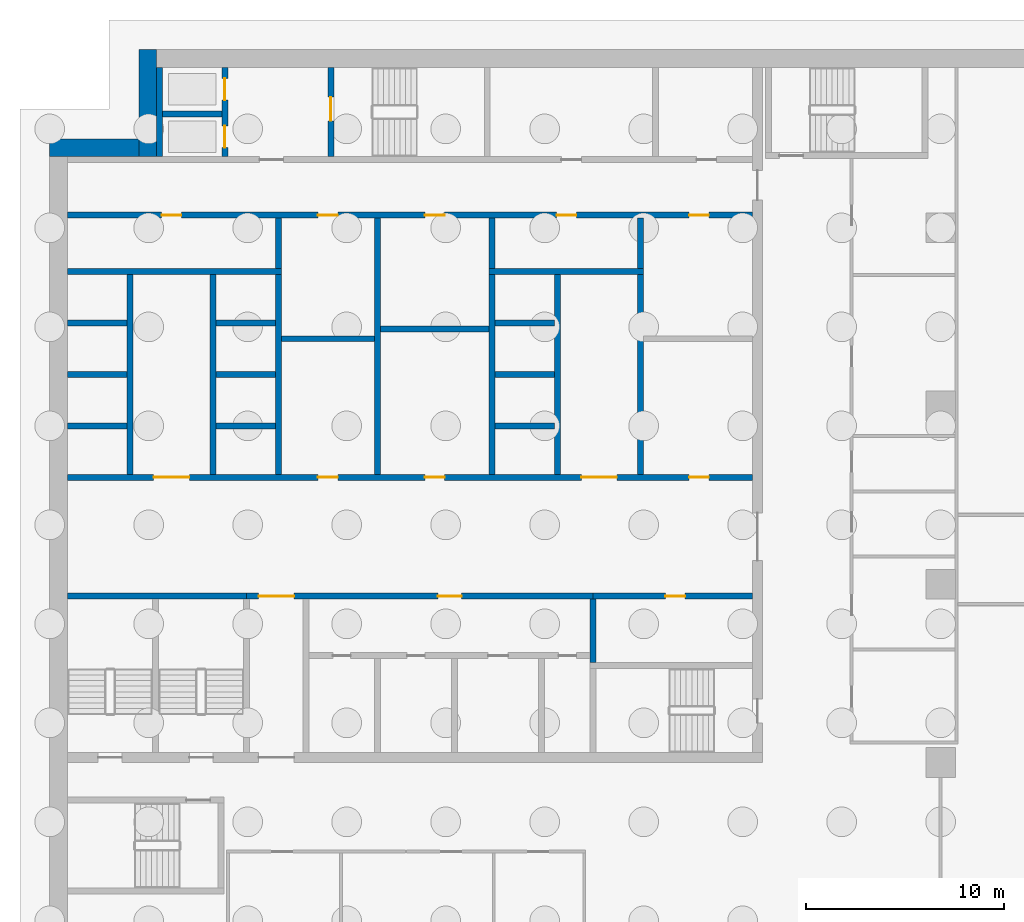
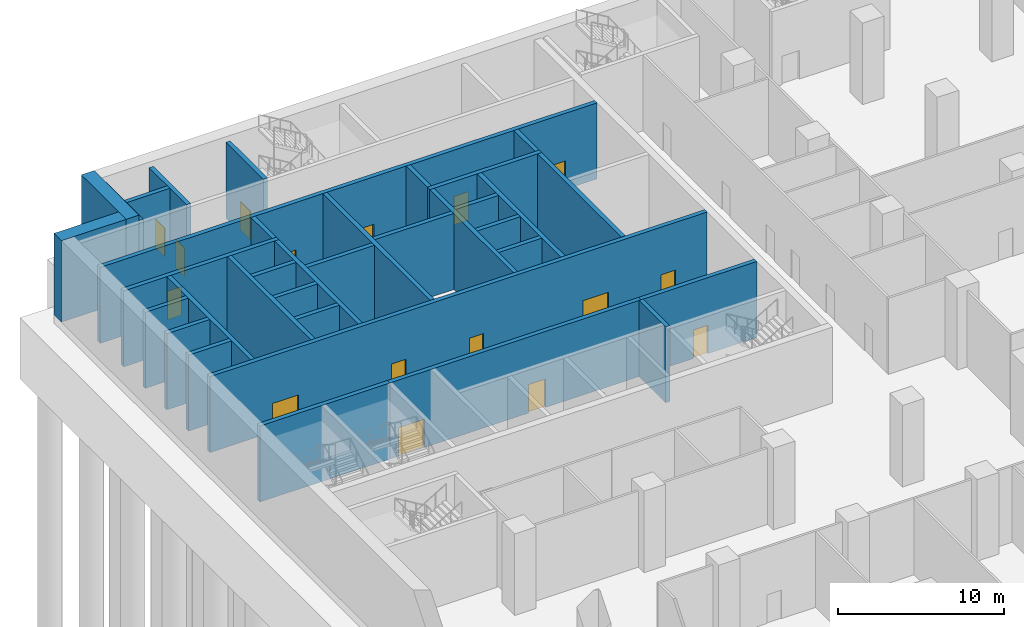
# One storey, part 7 of 25: 35 walls, 16 doors, 16 openings.
"""IFC4 building model written with IfcOpenShell, lengths in metres."""

import ifcopenshell
import ifcopenshell.guid

model = None  # the IFC model being written
_history = None  # IfcOwnerHistory: only IFC2X3 demands one
_inside = {}  # id of a spatial element -> (the spatial element, [elements in it])
_under = {}  # id of a project, library or spatial element -> (it, [spatial elements below it])
_declared = {}  # id of a project -> (the project, [libraries it declares])
_typed = {}  # id of a type object -> (the type object, [elements of that type])
_made_of = {}  # id of a material, layer set ... -> (it, [elements and type objects made of it])


def new_model(schema):
    """Start an empty IFC model of exactly this schema.

    Asked for "IFC4X3", IfcOpenShell would pick the latest addendum, in which some entities
    have other attributes; the version numbers below select the first issue.
    IFC2X3 requires an IfcOwnerHistory on every rooted entity: one is made here for all.
    """
    global model, _history
    if schema == "IFC4X3":
        model = ifcopenshell.file(schema_version=(4, 3, 0, 0))
    else:
        model = ifcopenshell.file(schema=schema)
    _inside.clear()
    _under.clear()
    _declared.clear()
    _typed.clear()
    _made_of.clear()
    _history = None
    if model.schema == "IFC2X3":
        org = make("IfcOrganization", Name="unknown")
        user = make(
            "IfcPersonAndOrganization",
            ThePerson=make("IfcPerson", FamilyName="unknown"),
            TheOrganization=org,
        )
        app = make(
            "IfcApplication",
            ApplicationDeveloper=org,
            Version="unknown",
            ApplicationFullName="unknown",
            ApplicationIdentifier="unknown",
        )
        _history = make(
            "IfcOwnerHistory",
            OwningUser=user,
            OwningApplication=app,
            ChangeAction="ADDED",
            CreationDate=0,
        )
    return model


def make(cls, **values):
    """One entity of the class cls with the attributes given. An attribute that is None is left unset."""
    return model.create_entity(
        cls, **{name: value for name, value in values.items() if value is not None}
    )


def rooted(cls, **values):
    """An entity with a GlobalId (a new one), such as an element, a storey or a relation."""
    return make(cls, GlobalId=ifcopenshell.guid.new(), OwnerHistory=_history, **values)


def si_unit(unit_type, name, prefix=None):
    """IfcSIUnit, for example si_unit("LENGTHUNIT", "METRE", prefix="MILLI")."""
    return make("IfcSIUnit", UnitType=unit_type, Prefix=prefix, Name=name)


def assignment(units):
    """IfcUnitAssignment: the units of a project."""
    return None if units is None else make("IfcUnitAssignment", Units=units)


def point(xyz):
    """IfcCartesianPoint."""
    return None if xyz is None else make("IfcCartesianPoint", Coordinates=xyz)


def direction(xyz):
    """IfcDirection."""
    return None if xyz is None else make("IfcDirection", DirectionRatios=xyz)


def frame(location, z_axis=None, x_axis=None):
    """IfcAxis2Placement3D, a coordinate frame: its origin and axes. An axis left out is left unset."""
    return make(
        "IfcAxis2Placement3D",
        Location=point(location),
        Axis=direction(z_axis),
        RefDirection=direction(x_axis),
    )


def frame_2d(location, x_axis=None):
    """IfcAxis2Placement2D, a coordinate frame in the plane: its origin and x axis."""
    return make(
        "IfcAxis2Placement2D", Location=point(location), RefDirection=direction(x_axis)
    )


def origin():
    """The frame at (0, 0, 0) with its axes left unset."""
    return frame((0.0, 0.0, 0.0))


def place(relative_to, where):
    """IfcLocalPlacement: puts the frame where relative to a parent placement (None: the world)."""
    return make(
        "IfcLocalPlacement", PlacementRelTo=relative_to, RelativePlacement=where
    )


def context(
    kind, dimensions, precision=None, world=None, true_north=None, identifier=None
):
    """IfcGeometricRepresentationContext, for example the 3D "Model" context."""
    return make(
        "IfcGeometricRepresentationContext",
        ContextIdentifier=identifier,
        ContextType=kind,
        CoordinateSpaceDimension=dimensions,
        Precision=precision,
        WorldCoordinateSystem=world,
        TrueNorth=true_north,
    )


def subcontext(parent, identifier, kind, view, scale=None):
    """IfcGeometricRepresentationSubContext, for example "Body" below "Model"."""
    return make(
        "IfcGeometricRepresentationSubContext",
        ContextIdentifier=identifier,
        ContextType=kind,
        ParentContext=parent,
        TargetScale=scale,
        TargetView=view,
    )


def project(units=None, contexts=None):
    """IfcProject with its units and contexts."""
    return rooted(
        "IfcProject",
        Name="project",
        RepresentationContexts=contexts,
        UnitsInContext=assignment(units),
    )


def spatial(cls, under=None, at=None, **own):
    """A site, building, storey or space (cls), placed at a placement, below another one or the project."""
    s = rooted(cls, ObjectPlacement=at, **own)
    if under is not None:
        _under.setdefault(under.id(), (under, []))[1].append(s)
    return s


def profile(cls, at=None, kind="AREA", **sizes):
    """A parametric profile (cls). Its sizes go by their IFC names, for example OverallWidth=200.0."""
    return make(cls, ProfileType=kind, Position=at, **sizes)


def rectangle(**sizes):
    """IfcRectangleProfileDef."""
    return profile("IfcRectangleProfileDef", **sizes)


def extrude(swept, where, along, depth):
    """IfcExtrudedAreaSolid: the profile swept, set in the frame where, extruded along a direction by depth."""
    return make(
        "IfcExtrudedAreaSolid",
        SweptArea=swept,
        Position=where,
        ExtrudedDirection=direction(along),
        Depth=depth,
    )


def shape(context_of_items, identifier, shape_type, items):
    """IfcShapeRepresentation: the items that make up one representation, for example the "Body"."""
    return make(
        "IfcShapeRepresentation",
        ContextOfItems=context_of_items,
        RepresentationIdentifier=identifier,
        RepresentationType=shape_type,
        Items=items,
    )


def material(Name=None, Category=None):
    """IfcMaterial."""
    return make("IfcMaterial", Name=Name, Category=Category)


def layer(
    of_material, thickness, ventilated=None, Name=None, Category=None, Priority=None
):
    """IfcMaterialLayer: one layer of a wall or slab, of a material (None: an air gap)."""
    return make(
        "IfcMaterialLayer",
        Material=of_material,
        LayerThickness=thickness,
        IsVentilated=ventilated,
        Name=Name,
        Category=Category,
        Priority=Priority,
    )


def layer_set(layers, Name=None):
    """IfcMaterialLayerSet."""
    return make("IfcMaterialLayerSet", MaterialLayers=layers, LayerSetName=Name)


def made_of(thing, what):
    """Note that an element or type object is made of a material, layer set ...; save() writes the relation."""
    if what is not None:
        _made_of.setdefault(what.id(), (what, []))[1].append(thing)
    return thing


def type_object(cls, material=None, **own):
    """A type object (cls), such as IfcWallType, which elements share."""
    return made_of(rooted(cls, **own), material)


def element(
    cls,
    number,
    at=None,
    inside=None,
    cuts=None,
    type_object=None,
    material=None,
    context=None,
    identifier="Body",
    shape_type=None,
    held_by="IfcProductDefinitionShape",
    body=None,
    shapes=None,
    **own,
):
    """One element of the class cls, such as IfcWall. Its Tag is "e" and its number.

    at: its placement. inside: the storey or other place that contains it. cuts: it is an
    opening in that element (IfcRelVoidsElement). A single representation is given by context,
    identifier, shape_type and body (its items); several are given by shapes. held_by: the class
    of the entity that holds the representations. save() writes the other relations.
    """
    e = rooted(cls, Tag="e%d" % number, ObjectPlacement=at, **own)
    if body is not None:
        shapes = [shape(context, identifier, shape_type, body)]
    if shapes is not None:
        e.Representation = make(held_by, Representations=shapes)
    if inside is not None:
        _inside.setdefault(inside.id(), (inside, []))[1].append(e)
    if cuts is not None:
        rooted(
            "IfcRelVoidsElement", RelatingBuildingElement=cuts, RelatedOpeningElement=e
        )
    if type_object is not None:
        _typed.setdefault(type_object.id(), (type_object, []))[1].append(e)
    return made_of(e, material)


def fill(opening, filler):
    """IfcRelFillsElement: the door or window that sits in an opening."""
    return rooted(
        "IfcRelFillsElement",
        RelatingOpeningElement=opening,
        RelatedBuildingElement=filler,
    )


def aggregate(whole, parts):
    """IfcRelAggregates: a whole, such as a stair, and the parts it consists of."""
    return rooted("IfcRelAggregates", RelatingObject=whole, RelatedObjects=parts)


def save(model, path):
    """Write the relations noted so far, then the file.

    IfcRelAggregates (storeys below a building ...), IfcRelContainedInSpatialStructure (elements
    in a storey), IfcRelDefinesByType, IfcRelAssociatesMaterial and IfcRelDeclares: one each for
    every whole, place, type object, material and project.
    """
    for whole, parts in _under.values():
        aggregate(whole, parts)
    for where, things in _inside.values():
        rooted(
            "IfcRelContainedInSpatialStructure",
            RelatedElements=things,
            RelatingStructure=where,
        )
    for kind, things in _typed.values():
        rooted("IfcRelDefinesByType", RelatedObjects=things, RelatingType=kind)
    for what, things in _made_of.values():
        rooted("IfcRelAssociatesMaterial", RelatedObjects=things, RelatingMaterial=what)
    for by, libraries in _declared.values():
        rooted("IfcRelDeclares", RelatingContext=by, RelatedDefinitions=libraries)
    model.write(path)


model = new_model("IFC4")

# Units and contexts
model_context = context("Model", 3, precision=1e-05, world=origin(), true_north=direction((0.0, 1.0)))
body_context = subcontext(model_context, "Body", "Model", "MODEL_VIEW")
ifc_project = project(units=[si_unit("LENGTHUNIT", "METRE"), si_unit("AREAUNIT", "SQUARE_METRE"), si_unit("VOLUMEUNIT", "CUBIC_METRE"), si_unit("PLANEANGLEUNIT", "RADIAN"), si_unit("MASSUNIT", "GRAM", prefix="KILO")], contexts=[model_context])

# Site, building, storey
site_placement = place(None, origin())
site = spatial("IfcSite", under=ifc_project, at=site_placement, CompositionType="ELEMENT")
building_placement = place(site_placement, origin())
building = spatial("IfcBuilding", under=site, at=building_placement, Name="Hunhe Ridgeline Campus", CompositionType="ELEMENT")
storey_placement = place(building_placement, frame((0.0, 0.0, -6.0)))
storey = spatial("IfcBuildingStorey", under=building, at=storey_placement, Name="B1", CompositionType="ELEMENT", Elevation=-6.0)

# Wall, openings, doors
ifc_material_1 = material(Name="Masonry concrete blockwork", Category="masonry")
ifc_layer_1 = layer(ifc_material_1, 0.300048828125)
ifc_layer_set_1 = layer_set([ifc_layer_1], Name="Core room partition 300 concrete block")
wall_type_1 = type_object("IfcWallType", Name="Core room partition 300 concrete block", PredefinedType="PARTITIONING", material=ifc_layer_set_1)
wall_1_placement = place(storey_placement, frame((9.949951171875, 71.39990234375, 0.0), z_axis=(0.0, 0.0, 1.0), x_axis=(1.0, 0.0, 0.0)))
wall_1 = element("IfcWall", 1, at=wall_1_placement, inside=storey, type_object=wall_type_1, Name="B1 core partition 13", PredefinedType="PARTITIONING", context=body_context, shape_type="SweptSolid", body=[
    extrude(rectangle(XDim=17.5, YDim=0.300048828125, at=frame_2d((8.75, 0.0))), origin(), (0.0, 0.0, 1.0), 5.60009765625),
])
opening_1_placement = place(wall_1_placement, frame((0.60009765625, 0.0, 0.0)))
opening_1 = element("IfcOpeningElement", 2, at=opening_1_placement, cuts=wall_1, Name="Opening CD7", PredefinedType="OPENING", context=body_context, shape_type="SweptSolid", body=[
    extrude(rectangle(XDim=1.800048828125, YDim=2.10009765625, at=frame_2d((0.89990234375, 1.050048828125))), frame((0.0, 0.14990234375, 0.0), z_axis=(0.0, -1.0, 0.0), x_axis=(1.0, 0.0, 0.0)), (0.0, 0.0, 1.0), 0.300048828125),
])
opening_2_placement = place(wall_1_placement, frame((9.64990234375, 0.0, 0.0)))
opening_2 = element("IfcOpeningElement", 3, at=opening_2_placement, cuts=wall_1, Name="Opening CD12", PredefinedType="OPENING", context=body_context, shape_type="SweptSolid", body=[
    extrude(rectangle(XDim=1.199951171875, YDim=2.10009765625, at=frame_2d((0.60009765625, 1.050048828125))), frame((0.0, 0.14990234375, 0.0), z_axis=(0.0, -1.0, 0.0), x_axis=(1.0, 0.0, 0.0)), (0.0, 0.0, 1.0), 0.300048828125),
])
ifc_material_2 = material(Name="Anodised aluminium and glass", Category="aluminium")
door_type_1 = type_object("IfcDoorType", Name="Glazed double door 1800x2100", OperationType="DOUBLE_DOOR_SINGLE_SWING", PredefinedType="DOOR", material=ifc_material_2)
door_1_placement = place(opening_1_placement, origin())
door_1 = element("IfcDoor", 4, at=door_1_placement, inside=storey, type_object=door_type_1, Name="B1 door VEST-HALL", OperationType="DOUBLE_DOOR_SINGLE_SWING", OverallHeight=2.10009765625, OverallWidth=1.800048828125, PredefinedType="DOOR", context=body_context, shape_type="SweptSolid", body=[
    extrude(rectangle(XDim=1.800048828125, YDim=2.10009765625, at=frame_2d((0.89990234375, 1.050048828125))), frame((0.0, 0.02490234375, 0.0), z_axis=(0.0, -1.0, 0.0), x_axis=(1.0, 0.0, 0.0)), (0.0, 0.0, 1.0), 0.050048828125),
])
fill(opening_1, door_1)
ifc_material_3 = material(Name="Solid core timber door leaf", Category="wood")
door_type_2 = type_object("IfcDoorType", Name="Timber door 1200x2100", OperationType="SINGLE_SWING_LEFT", PredefinedType="DOOR", material=ifc_material_3)
door_2_placement = place(opening_2_placement, origin())
door_2 = element("IfcDoor", 5, at=door_2_placement, inside=storey, type_object=door_type_2, Name="B1 door WCL2-HALL", OperationType="SINGLE_SWING_LEFT", OverallHeight=2.10009765625, OverallWidth=1.199951171875, PredefinedType="DOOR", context=body_context, shape_type="SweptSolid", body=[
    extrude(rectangle(XDim=1.199951171875, YDim=2.10009765625, at=frame_2d((0.60009765625, 1.050048828125))), frame((0.0, 0.02490234375, 0.0), z_axis=(0.0, -1.0, 0.0), x_axis=(1.0, 0.0, 0.0)), (0.0, 0.0, 1.0), 0.050048828125),
])
fill(opening_2, door_2)

# Walls
wall_2_placement = place(storey_placement, frame((11.699951171875, 84.39990234375, 0.0), z_axis=(0.0, 0.0, 1.0), x_axis=(1.0, 0.0, 0.0)))
element("IfcWall", 6, at=wall_2_placement, inside=storey, type_object=wall_type_1, Name="B1 core partition 22", PredefinedType="PARTITIONING", context=body_context, shape_type="SweptSolid", body=[
    extrude(rectangle(XDim=4.699951171875, YDim=0.300048828125, at=frame_2d((2.35009765625, 0.0))), origin(), (0.0, 0.0, 1.0), 5.60009765625),
])
wall_3_placement = place(storey_placement, frame((16.699951171875, 84.89990234375, 0.0), z_axis=(0.0, 0.0, 1.0), x_axis=(1.0, 0.0, 0.0)))
element("IfcWall", 7, at=wall_3_placement, inside=storey, type_object=wall_type_1, Name="B1 core partition 24", PredefinedType="PARTITIONING", context=body_context, shape_type="SweptSolid", body=[
    extrude(rectangle(XDim=5.5, YDim=0.300048828125, at=frame_2d((2.75, 0.0))), origin(), (0.0, 0.0, 1.0), 5.60009765625),
])
wall_4_placement = place(storey_placement, frame((11.550048828125, 87.949951171875, 0.0), z_axis=(0.0, 0.0, 1.0), x_axis=(0.0, 1.0, 0.0)))
element("IfcWall", 8, at=wall_4_placement, inside=storey, type_object=wall_type_1, Name="B1 core partition 46", PredefinedType="PARTITIONING", context=body_context, shape_type="SweptSolid", body=[
    extrude(rectangle(XDim=2.550048828125, YDim=0.300048828125, at=frame_2d((1.27490234375, 0.0))), origin(), (0.0, 0.0, 1.0), 5.60009765625),
])
wall_5_placement = place(storey_placement, frame((16.550048828125, 77.550048828125, 0.0), z_axis=(0.0, 0.0, 1.0), x_axis=(0.0, 1.0, 0.0)))
element("IfcWall", 9, at=wall_5_placement, inside=storey, type_object=wall_type_1, Name="B1 core partition 50", PredefinedType="PARTITIONING", context=body_context, shape_type="SweptSolid", body=[
    extrude(rectangle(XDim=12.949951171875, YDim=0.300048828125, at=frame_2d((6.47509765625, 0.0))), origin(), (0.0, 0.0, 1.0), 5.60009765625),
])
wall_6_placement = place(storey_placement, frame((22.35009765625, 87.949951171875, 0.0), z_axis=(0.0, 0.0, 1.0), x_axis=(0.0, 1.0, 0.0)))
element("IfcWall", 10, at=wall_6_placement, inside=storey, type_object=wall_type_1, Name="B1 core partition 55", PredefinedType="PARTITIONING", context=body_context, shape_type="SweptSolid", body=[
    extrude(rectangle(XDim=2.550048828125, YDim=0.300048828125, at=frame_2d((1.27490234375, 0.0))), origin(), (0.0, 0.0, 1.0), 5.60009765625),
])
wall_7_placement = place(storey_placement, frame((27.449951171875, 68.050048828125, 0.0), z_axis=(0.0, 0.0, 1.0), x_axis=(0.0, 1.0, 0.0)))
element("IfcWall", 11, at=wall_7_placement, inside=storey, type_object=wall_type_1, Name="B1 core partition 60", PredefinedType="PARTITIONING", context=body_context, shape_type="SweptSolid", body=[
    extrude(rectangle(XDim=3.199951171875, YDim=0.300048828125, at=frame_2d((1.60009765625, 0.0))), origin(), (0.0, 0.0, 1.0), 5.60009765625),
])
wall_8_placement = place(storey_placement, frame((29.85009765625, 87.949951171875, 0.0), z_axis=(0.0, 0.0, 1.0), x_axis=(0.0, 1.0, 0.0)))
element("IfcWall", 12, at=wall_8_placement, inside=storey, type_object=wall_type_1, Name="B1 core partition 62", PredefinedType="PARTITIONING", context=body_context, shape_type="SweptSolid", body=[
    extrude(rectangle(XDim=2.550048828125, YDim=0.300048828125, at=frame_2d((1.27490234375, 0.0))), origin(), (0.0, 0.0, 1.0), 5.60009765625),
])

# Wall, opening, door
ifc_material_4 = material(Name="Concrete C80", Category="concrete")
ifc_layer_2 = layer(ifc_material_4, 0.300048828125)
ifc_layer_set_2 = layer_set([ifc_layer_2], Name="Lobby wall 300 reinforced concrete C80")
wall_type_2 = type_object("IfcWallType", Name="Lobby wall 300 reinforced concrete C80", PredefinedType="SOLIDWALL", material=ifc_layer_set_2)
wall_9_placement = place(storey_placement, frame((27.449951171875, 71.39990234375, 0.0), z_axis=(0.0, 0.0, 1.0), x_axis=(1.0, 0.0, 0.0)))
wall_9 = element("IfcWall", 13, at=wall_9_placement, inside=storey, type_object=wall_type_2, Name="B1 core wall 14", PredefinedType="SOLIDWALL", context=body_context, shape_type="SweptSolid", body=[
    extrude(rectangle(XDim=8.050048828125, YDim=0.300048828125, at=frame_2d((4.02490234375, 0.0))), origin(), (0.0, 0.0, 1.0), 5.60009765625),
])
opening_3_placement = place(wall_9_placement, frame((3.64990234375, 0.0, 0.0)))
opening_3 = element("IfcOpeningElement", 14, at=opening_3_placement, cuts=wall_9, Name="Opening CD25", PredefinedType="OPENING", context=body_context, shape_type="SweptSolid", body=[
    extrude(rectangle(XDim=1.0, YDim=2.10009765625, at=frame_2d((0.5, 1.050048828125))), frame((0.0, 0.14990234375, 0.0), z_axis=(0.0, -1.0, 0.0), x_axis=(1.0, 0.0, 0.0)), (0.0, 0.0, 1.0), 0.300048828125),
])
door_type_3 = type_object("IfcDoorType", Name="Timber door 1000x2100", OperationType="SINGLE_SWING_LEFT", PredefinedType="DOOR", material=ifc_material_3)
door_3_placement = place(opening_3_placement, frame((1.0, 0.0, 0.0), z_axis=(0.0, 0.0, 1.0), x_axis=(-1.0, 0.0, 0.0)))
door_3 = element("IfcDoor", 15, at=door_3_placement, inside=storey, type_object=door_type_3, Name="B1 door SE1", OperationType="SINGLE_SWING_LEFT", OverallHeight=2.10009765625, OverallWidth=1.0, PredefinedType="DOOR", context=body_context, shape_type="SweptSolid", body=[
    extrude(rectangle(XDim=1.0, YDim=2.10009765625, at=frame_2d((0.5, 1.050048828125))), frame((0.0, 0.02490234375, 0.0), z_axis=(0.0, -1.0, 0.0), x_axis=(1.0, 0.0, 0.0)), (0.0, 0.0, 1.0), 0.050048828125),
])
fill(opening_3, door_3)

# Wall, openings, doors
wall_10_placement = place(storey_placement, frame((0.89990234375, 90.64990234375, 0.0), z_axis=(0.0, 0.0, 1.0), x_axis=(1.0, 0.0, 0.0)))
wall_10 = element("IfcWall", 16, at=wall_10_placement, inside=storey, type_object=wall_type_2, Name="B1 core wall 30", PredefinedType="SOLIDWALL", context=body_context, shape_type="SweptSolid", body=[
    extrude(rectangle(XDim=34.60009765625, YDim=0.300048828125, at=frame_2d((17.300048828125, 0.0))), origin(), (0.0, 0.0, 1.0), 5.60009765625),
])
opening_4_placement = place(wall_10_placement, frame((4.75, 0.0, 0.0)))
opening_4 = element("IfcOpeningElement", 17, at=opening_4_placement, cuts=wall_10, Name="Opening CD26", PredefinedType="OPENING", context=body_context, shape_type="SweptSolid", body=[
    extrude(rectangle(XDim=1.0, YDim=2.10009765625, at=frame_2d((0.5, 1.050048828125))), frame((0.0, 0.14990234375, 0.0), z_axis=(0.0, -1.0, 0.0), x_axis=(1.0, 0.0, 0.0)), (0.0, 0.0, 1.0), 0.300048828125),
])
opening_5_placement = place(wall_10_placement, frame((24.699951171875, 0.0, 0.0)))
opening_5 = element("IfcOpeningElement", 18, at=opening_5_placement, cuts=wall_10, Name="Opening CD27", PredefinedType="OPENING", context=body_context, shape_type="SweptSolid", body=[
    extrude(rectangle(XDim=1.0, YDim=2.10009765625, at=frame_2d((0.5, 1.050048828125))), frame((0.0, 0.14990234375, 0.0), z_axis=(0.0, -1.0, 0.0), x_axis=(1.0, 0.0, 0.0)), (0.0, 0.0, 1.0), 0.300048828125),
])
opening_6_placement = place(wall_10_placement, frame((12.64990234375, 0.0, 0.0)))
opening_6 = element("IfcOpeningElement", 19, at=opening_6_placement, cuts=wall_10, Name="Opening CD29", PredefinedType="OPENING", context=body_context, shape_type="SweptSolid", body=[
    extrude(rectangle(XDim=1.0, YDim=2.10009765625, at=frame_2d((0.5, 1.050048828125))), frame((0.0, 0.14990234375, 0.0), z_axis=(0.0, -1.0, 0.0), x_axis=(1.0, 0.0, 0.0)), (0.0, 0.0, 1.0), 0.300048828125),
])
opening_7_placement = place(wall_10_placement, frame((18.050048828125, 0.0, 0.0)))
opening_7 = element("IfcOpeningElement", 20, at=opening_7_placement, cuts=wall_10, Name="Opening CD31", PredefinedType="OPENING", context=body_context, shape_type="SweptSolid", body=[
    extrude(rectangle(XDim=1.0, YDim=2.10009765625, at=frame_2d((0.5, 1.050048828125))), frame((0.0, 0.14990234375, 0.0), z_axis=(0.0, -1.0, 0.0), x_axis=(1.0, 0.0, 0.0)), (0.0, 0.0, 1.0), 0.300048828125),
])
opening_8_placement = place(wall_10_placement, frame((31.39990234375, 0.0, 0.0)))
opening_8 = element("IfcOpeningElement", 21, at=opening_8_placement, cuts=wall_10, Name="Opening CD33", PredefinedType="OPENING", context=body_context, shape_type="SweptSolid", body=[
    extrude(rectangle(XDim=1.0, YDim=2.10009765625, at=frame_2d((0.5, 1.050048828125))), frame((0.0, 0.14990234375, 0.0), z_axis=(0.0, -1.0, 0.0), x_axis=(1.0, 0.0, 0.0)), (0.0, 0.0, 1.0), 0.300048828125),
])
door_4_placement = place(opening_4_placement, frame((1.0, 0.0, 0.0), z_axis=(0.0, 0.0, 1.0), x_axis=(-1.0, 0.0, 0.0)))
door_4 = element("IfcDoor", 22, at=door_4_placement, inside=storey, type_object=door_type_3, Name="B1 door NR-0", OperationType="SINGLE_SWING_LEFT", OverallHeight=2.10009765625, OverallWidth=1.0, PredefinedType="DOOR", context=body_context, shape_type="SweptSolid", body=[
    extrude(rectangle(XDim=1.0, YDim=2.10009765625, at=frame_2d((0.5, 1.050048828125))), frame((0.0, 0.02490234375, 0.0), z_axis=(0.0, -1.0, 0.0), x_axis=(1.0, 0.0, 0.0)), (0.0, 0.0, 1.0), 0.050048828125),
])
fill(opening_4, door_4)
door_5_placement = place(opening_5_placement, frame((1.0, 0.0, 0.0), z_axis=(0.0, 0.0, 1.0), x_axis=(-1.0, 0.0, 0.0)))
door_5 = element("IfcDoor", 23, at=door_5_placement, inside=storey, type_object=door_type_3, Name="B1 door NR-1", OperationType="SINGLE_SWING_RIGHT", OverallHeight=2.10009765625, OverallWidth=1.0, PredefinedType="DOOR", context=body_context, shape_type="SweptSolid", body=[
    extrude(rectangle(XDim=1.0, YDim=2.10009765625, at=frame_2d((0.5, 1.050048828125))), frame((0.0, 0.02490234375, 0.0), z_axis=(0.0, -1.0, 0.0), x_axis=(1.0, 0.0, 0.0)), (0.0, 0.0, 1.0), 0.050048828125),
])
fill(opening_5, door_5)
door_6_placement = place(opening_6_placement, frame((1.0, 0.0, 0.0), z_axis=(0.0, 0.0, 1.0), x_axis=(-1.0, 0.0, 0.0)))
door_6 = element("IfcDoor", 24, at=door_6_placement, inside=storey, type_object=door_type_3, Name="B1 door VD-HR1", OperationType="SINGLE_SWING_RIGHT", OverallHeight=2.10009765625, OverallWidth=1.0, PredefinedType="DOOR", context=body_context, shape_type="SweptSolid", body=[
    extrude(rectangle(XDim=1.0, YDim=2.10009765625, at=frame_2d((0.5, 1.050048828125))), frame((0.0, 0.02490234375, 0.0), z_axis=(0.0, -1.0, 0.0), x_axis=(1.0, 0.0, 0.0)), (0.0, 0.0, 1.0), 0.050048828125),
])
fill(opening_6, door_6)
door_7_placement = place(opening_7_placement, frame((1.0, 0.0, 0.0), z_axis=(0.0, 0.0, 1.0), x_axis=(-1.0, 0.0, 0.0)))
door_7 = element("IfcDoor", 25, at=door_7_placement, inside=storey, type_object=door_type_3, Name="B1 door VD-HR3", OperationType="SINGLE_SWING_RIGHT", OverallHeight=2.10009765625, OverallWidth=1.0, PredefinedType="DOOR", context=body_context, shape_type="SweptSolid", body=[
    extrude(rectangle(XDim=1.0, YDim=2.10009765625, at=frame_2d((0.5, 1.050048828125))), frame((0.0, 0.02490234375, 0.0), z_axis=(0.0, -1.0, 0.0), x_axis=(1.0, 0.0, 0.0)), (0.0, 0.0, 1.0), 0.050048828125),
])
fill(opening_7, door_7)
door_8_placement = place(opening_8_placement, frame((1.0, 0.0, 0.0), z_axis=(0.0, 0.0, 1.0), x_axis=(-1.0, 0.0, 0.0)))
door_8 = element("IfcDoor", 26, at=door_8_placement, inside=storey, type_object=door_type_3, Name="B1 door ES1", OperationType="SINGLE_SWING_LEFT", OverallHeight=2.10009765625, OverallWidth=1.0, PredefinedType="DOOR", context=body_context, shape_type="SweptSolid", body=[
    extrude(rectangle(XDim=1.0, YDim=2.10009765625, at=frame_2d((0.5, 1.050048828125))), frame((0.0, 0.02490234375, 0.0), z_axis=(0.0, -1.0, 0.0), x_axis=(1.0, 0.0, 0.0)), (0.0, 0.0, 1.0), 0.050048828125),
])
fill(opening_8, door_8)

# Wall
wall_11_placement = place(storey_placement, frame((29.85009765625, 77.550048828125, 0.0), z_axis=(0.0, 0.0, 1.0), x_axis=(0.0, 1.0, 0.0)))
element("IfcWall", 27, at=wall_11_placement, inside=storey, type_object=wall_type_2, Name="B1 core wall 61", PredefinedType="SOLIDWALL", context=body_context, shape_type="SweptSolid", body=[
    extrude(rectangle(XDim=10.099853515625, YDim=0.300048828125, at=frame_2d((5.0498046875, 0.0))), origin(), (0.0, 0.0, 1.0), 5.60009765625),
])

# Wall, openings, doors
ifc_layer_3 = layer(ifc_material_4, 0.300048828125)
ifc_layer_set_3 = layer_set([ifc_layer_3], Name="Shaft wall 300 reinforced concrete C80")
wall_type_3 = type_object("IfcWallType", Name="Shaft wall 300 reinforced concrete C80", PredefinedType="SOLIDWALL", material=ifc_layer_set_3)
wall_12_placement = place(storey_placement, frame((0.89990234375, 77.39990234375, 0.0), z_axis=(0.0, 0.0, 1.0), x_axis=(1.0, 0.0, 0.0)))
wall_12 = element("IfcWall", 28, at=wall_12_placement, inside=storey, type_object=wall_type_3, Name="B1 core wall 15", PredefinedType="SOLIDWALL", context=body_context, shape_type="SweptSolid", body=[
    extrude(rectangle(XDim=34.60009765625, YDim=0.300048828125, at=frame_2d((17.300048828125, 0.0))), origin(), (0.0, 0.0, 1.0), 5.60009765625),
])
opening_9_placement = place(wall_12_placement, frame((4.35009765625, 0.0, 0.0)))
opening_9 = element("IfcOpeningElement", 29, at=opening_9_placement, cuts=wall_12, Name="Opening CD1", PredefinedType="OPENING", context=body_context, shape_type="SweptSolid", body=[
    extrude(rectangle(XDim=1.800048828125, YDim=2.10009765625, at=frame_2d((0.89990234375, 1.050048828125))), frame((0.0, 0.14990234375, 0.0), z_axis=(0.0, -1.0, 0.0), x_axis=(1.0, 0.0, 0.0)), (0.0, 0.0, 1.0), 0.300048828125),
])
opening_10_placement = place(wall_12_placement, frame((25.949951171875, 0.0, 0.0)))
opening_10 = element("IfcOpeningElement", 30, at=opening_10_placement, cuts=wall_12, Name="Opening CD2", PredefinedType="OPENING", context=body_context, shape_type="SweptSolid", body=[
    extrude(rectangle(XDim=1.800048828125, YDim=2.10009765625, at=frame_2d((0.89990234375, 1.050048828125))), frame((0.0, 0.14990234375, 0.0), z_axis=(0.0, -1.0, 0.0), x_axis=(1.0, 0.0, 0.0)), (0.0, 0.0, 1.0), 0.300048828125),
])
opening_11_placement = place(wall_12_placement, frame((12.64990234375, 0.0, 0.0)))
opening_11 = element("IfcOpeningElement", 31, at=opening_11_placement, cuts=wall_12, Name="Opening CD28", PredefinedType="OPENING", context=body_context, shape_type="SweptSolid", body=[
    extrude(rectangle(XDim=1.0, YDim=2.10009765625, at=frame_2d((0.5, 1.050048828125))), frame((0.0, 0.14990234375, 0.0), z_axis=(0.0, -1.0, 0.0), x_axis=(1.0, 0.0, 0.0)), (0.0, 0.0, 1.0), 0.300048828125),
])
opening_12_placement = place(wall_12_placement, frame((18.050048828125, 0.0, 0.0)))
opening_12 = element("IfcOpeningElement", 32, at=opening_12_placement, cuts=wall_12, Name="Opening CD30", PredefinedType="OPENING", context=body_context, shape_type="SweptSolid", body=[
    extrude(rectangle(XDim=1.0, YDim=2.10009765625, at=frame_2d((0.5, 1.050048828125))), frame((0.0, 0.14990234375, 0.0), z_axis=(0.0, -1.0, 0.0), x_axis=(1.0, 0.0, 0.0)), (0.0, 0.0, 1.0), 0.300048828125),
])
opening_13_placement = place(wall_12_placement, frame((31.39990234375, 0.0, 0.0)))
opening_13 = element("IfcOpeningElement", 33, at=opening_13_placement, cuts=wall_12, Name="Opening CD32", PredefinedType="OPENING", context=body_context, shape_type="SweptSolid", body=[
    extrude(rectangle(XDim=1.0, YDim=2.10009765625, at=frame_2d((0.5, 1.050048828125))), frame((0.0, 0.14990234375, 0.0), z_axis=(0.0, -1.0, 0.0), x_axis=(1.0, 0.0, 0.0)), (0.0, 0.0, 1.0), 0.300048828125),
])
ifc_material_5 = material(Name="Hollow metal fire door leaf")
door_type_4 = type_object("IfcDoorType", Name="Lobby door 1800x2100 FD60", OperationType="SINGLE_SWING_LEFT", PredefinedType="DOOR", material=ifc_material_5)
door_9_placement = place(opening_9_placement, frame((1.800048828125, 0.0, 0.0), z_axis=(0.0, 0.0, 1.0), x_axis=(-1.0, 0.0, 0.0)))
door_9 = element("IfcDoor", 34, at=door_9_placement, inside=storey, type_object=door_type_4, Name="B1 door LOB-LR", OperationType="SINGLE_SWING_RIGHT", OverallHeight=2.10009765625, OverallWidth=1.800048828125, PredefinedType="DOOR", context=body_context, shape_type="SweptSolid", body=[
    extrude(rectangle(XDim=1.800048828125, YDim=2.10009765625, at=frame_2d((0.89990234375, 1.050048828125))), frame((0.0, 0.02490234375, 0.0), z_axis=(0.0, -1.0, 0.0), x_axis=(1.0, 0.0, 0.0)), (0.0, 0.0, 1.0), 0.050048828125),
])
fill(opening_9, door_9)
door_10_placement = place(opening_10_placement, frame((1.800048828125, 0.0, 0.0), z_axis=(0.0, 0.0, 1.0), x_axis=(-1.0, 0.0, 0.0)))
door_10 = element("IfcDoor", 35, at=door_10_placement, inside=storey, type_object=door_type_4, Name="B1 door LOB-SH", OperationType="SINGLE_SWING_LEFT", OverallHeight=2.10009765625, OverallWidth=1.800048828125, PredefinedType="DOOR", context=body_context, shape_type="SweptSolid", body=[
    extrude(rectangle(XDim=1.800048828125, YDim=2.10009765625, at=frame_2d((0.89990234375, 1.050048828125))), frame((0.0, 0.02490234375, 0.0), z_axis=(0.0, -1.0, 0.0), x_axis=(1.0, 0.0, 0.0)), (0.0, 0.0, 1.0), 0.050048828125),
])
fill(opening_10, door_10)
door_11_placement = place(opening_11_placement, origin())
door_11 = element("IfcDoor", 36, at=door_11_placement, inside=storey, type_object=door_type_3, Name="B1 door VD-HR0", OperationType="SINGLE_SWING_RIGHT", OverallHeight=2.10009765625, OverallWidth=1.0, PredefinedType="DOOR", context=body_context, shape_type="SweptSolid", body=[
    extrude(rectangle(XDim=1.0, YDim=2.10009765625, at=frame_2d((0.5, 1.050048828125))), frame((0.0, 0.02490234375, 0.0), z_axis=(0.0, -1.0, 0.0), x_axis=(1.0, 0.0, 0.0)), (0.0, 0.0, 1.0), 0.050048828125),
])
fill(opening_11, door_11)
door_12_placement = place(opening_12_placement, origin())
door_12 = element("IfcDoor", 37, at=door_12_placement, inside=storey, type_object=door_type_3, Name="B1 door VD-HR2", OperationType="SINGLE_SWING_RIGHT", OverallHeight=2.10009765625, OverallWidth=1.0, PredefinedType="DOOR", context=body_context, shape_type="SweptSolid", body=[
    extrude(rectangle(XDim=1.0, YDim=2.10009765625, at=frame_2d((0.5, 1.050048828125))), frame((0.0, 0.02490234375, 0.0), z_axis=(0.0, -1.0, 0.0), x_axis=(1.0, 0.0, 0.0)), (0.0, 0.0, 1.0), 0.050048828125),
])
fill(opening_12, door_12)
door_13_placement = place(opening_13_placement, origin())
door_13 = element("IfcDoor", 38, at=door_13_placement, inside=storey, type_object=door_type_3, Name="B1 door ES0", OperationType="SINGLE_SWING_LEFT", OverallHeight=2.10009765625, OverallWidth=1.0, PredefinedType="DOOR", context=body_context, shape_type="SweptSolid", body=[
    extrude(rectangle(XDim=1.0, YDim=2.10009765625, at=frame_2d((0.5, 1.050048828125))), frame((0.0, 0.02490234375, 0.0), z_axis=(0.0, -1.0, 0.0), x_axis=(1.0, 0.0, 0.0)), (0.0, 0.0, 1.0), 0.050048828125),
])
fill(opening_13, door_13)

# Walls
for number, where, z_axis, x_axis, name in (
    (39, (0.89990234375, 80.0, 0.0), (0.0, 0.0, 1.0), (1.0, 0.0, 0.0), "B1 core wall 16"),
    (40, (8.39990234375, 80.0, 0.0), (0.0, 0.0, 1.0), (1.0, 0.0, 0.0), "B1 core wall 17"),
    (41, (22.5, 80.0, 0.0), (0.0, 0.0, 1.0), (1.0, 0.0, 0.0), "B1 core wall 18"),
    (42, (0.89990234375, 82.60009765625, 0.0), (0.0, 0.0, 1.0), (1.0, 0.0, 0.0), "B1 core wall 19"),
    (43, (8.39990234375, 82.60009765625, 0.0), (0.0, 0.0, 1.0), (1.0, 0.0, 0.0), "B1 core wall 20"),
    (44, (22.5, 82.60009765625, 0.0), (0.0, 0.0, 1.0), (1.0, 0.0, 0.0), "B1 core wall 21"),
    (45, (0.89990234375, 85.199951171875, 0.0), (0.0, 0.0, 1.0), (1.0, 0.0, 0.0), "B1 core wall 25"),
    (46, (8.39990234375, 85.199951171875, 0.0), (0.0, 0.0, 1.0), (1.0, 0.0, 0.0), "B1 core wall 26"),
    (47, (22.5, 85.199951171875, 0.0), (0.0, 0.0, 1.0), (1.0, 0.0, 0.0), "B1 core wall 27"),
):
    element("IfcWall", number, at=place(storey_placement, frame(where, z_axis=z_axis, x_axis=x_axis)), inside=storey, type_object=wall_type_3, Name=name, PredefinedType="SOLIDWALL", context=body_context, shape_type="SweptSolid", body=[
        extrude(rectangle(XDim=3.0, YDim=0.300048828125, at=frame_2d((1.5, 0.0))), origin(), (0.0, 0.0, 1.0), 5.60009765625),
    ])
wall_13_placement = place(storey_placement, frame((0.89990234375, 87.800048828125, 0.0), z_axis=(0.0, 0.0, 1.0), x_axis=(1.0, 0.0, 0.0)))
element("IfcWall", 48, at=wall_13_placement, inside=storey, type_object=wall_type_3, Name="B1 core wall 28", PredefinedType="SOLIDWALL", context=body_context, shape_type="SweptSolid", body=[
    extrude(rectangle(XDim=10.800048828125, YDim=0.300048828125, at=frame_2d((5.39990234375, 0.0))), origin(), (0.0, 0.0, 1.0), 5.60009765625),
])
wall_14_placement = place(storey_placement, frame((22.199951171875, 87.800048828125, 0.0), z_axis=(0.0, 0.0, 1.0), x_axis=(1.0, 0.0, 0.0)))
element("IfcWall", 49, at=wall_14_placement, inside=storey, type_object=wall_type_3, Name="B1 core wall 29", PredefinedType="SOLIDWALL", context=body_context, shape_type="SweptSolid", body=[
    extrude(rectangle(XDim=7.800048828125, YDim=0.300048828125, at=frame_2d((3.89990234375, 0.0))), origin(), (0.0, 0.0, 1.0), 5.60009765625),
])
wall_15_placement = place(storey_placement, frame((5.699951171875, 95.75, 0.0), z_axis=(0.0, 0.0, 1.0), x_axis=(1.0, 0.0, 0.0)))
element("IfcWall", 50, at=wall_15_placement, inside=storey, type_object=wall_type_3, Name="B1 core wall 36", PredefinedType="SOLIDWALL", context=body_context, shape_type="SweptSolid", body=[
    extrude(rectangle(XDim=3.0, YDim=0.300048828125, at=frame_2d((1.5, 0.0))), origin(), (0.0, 0.0, 1.0), 5.60009765625),
])
wall_16_placement = place(storey_placement, frame((4.050048828125, 77.550048828125, 0.0), z_axis=(0.0, 0.0, 1.0), x_axis=(0.0, 1.0, 0.0)))
element("IfcWall", 51, at=wall_16_placement, inside=storey, type_object=wall_type_3, Name="B1 core wall 37", PredefinedType="SOLIDWALL", context=body_context, shape_type="SweptSolid", body=[
    extrude(rectangle(XDim=10.099853515625, YDim=0.300048828125, at=frame_2d((5.0498046875, 0.0))), origin(), (0.0, 0.0, 1.0), 5.60009765625),
])
wall_17_placement = place(storey_placement, frame((5.550048828125, 93.60009765625, 0.0), z_axis=(0.0, 0.0, 1.0), x_axis=(0.0, 1.0, 0.0)))
element("IfcWall", 52, at=wall_17_placement, inside=storey, type_object=wall_type_3, Name="B1 core wall 39", PredefinedType="SOLIDWALL", context=body_context, shape_type="SweptSolid", body=[
    extrude(rectangle(XDim=4.5, YDim=0.300048828125, at=frame_2d((2.25, 0.0))), origin(), (0.0, 0.0, 1.0), 5.60009765625),
])
wall_18_placement = place(storey_placement, frame((8.25, 77.550048828125, 0.0), z_axis=(0.0, 0.0, 1.0), x_axis=(0.0, 1.0, 0.0)))
element("IfcWall", 53, at=wall_18_placement, inside=storey, type_object=wall_type_3, Name="B1 core wall 40", PredefinedType="SOLIDWALL", context=body_context, shape_type="SweptSolid", body=[
    extrude(rectangle(XDim=10.099853515625, YDim=0.300048828125, at=frame_2d((5.0498046875, 0.0))), origin(), (0.0, 0.0, 1.0), 5.60009765625),
])

# Wall, openings, doors
wall_19_placement = place(storey_placement, frame((8.85009765625, 93.60009765625, 0.0), z_axis=(0.0, 0.0, 1.0), x_axis=(0.0, 1.0, 0.0)))
wall_19 = element("IfcWall", 54, at=wall_19_placement, inside=storey, type_object=wall_type_3, Name="B1 core wall 43", PredefinedType="SOLIDWALL", context=body_context, shape_type="SweptSolid", body=[
    extrude(rectangle(XDim=4.5, YDim=0.300048828125, at=frame_2d((2.25, 0.0))), origin(), (0.0, 0.0, 1.0), 5.60009765625),
])
opening_14_placement = place(wall_19_placement, frame((0.449951171875, 0.0, 0.0)))
opening_14 = element("IfcOpeningElement", 55, at=opening_14_placement, cuts=wall_19, Name="Opening LD-FF1", PredefinedType="OPENING", context=body_context, shape_type="SweptSolid", body=[
    extrude(rectangle(XDim=1.10009765625, YDim=2.10009765625, at=frame_2d((0.550048828125, 1.050048828125))), frame((0.0, 0.14990234375, 0.0), z_axis=(0.0, -1.0, 0.0), x_axis=(1.0, 0.0, 0.0)), (0.0, 0.0, 1.0), 0.300048828125),
])
opening_15_placement = place(wall_19_placement, frame((2.85009765625, 0.0, 0.0)))
opening_15 = element("IfcOpeningElement", 56, at=opening_15_placement, cuts=wall_19, Name="Opening LD-FF2", PredefinedType="OPENING", context=body_context, shape_type="SweptSolid", body=[
    extrude(rectangle(XDim=1.10009765625, YDim=2.10009765625, at=frame_2d((0.550048828125, 1.050048828125))), frame((0.0, 0.14990234375, 0.0), z_axis=(0.0, -1.0, 0.0), x_axis=(1.0, 0.0, 0.0)), (0.0, 0.0, 1.0), 0.300048828125),
])
ifc_material_6 = material(Name="Stainless steel sliding leaves", Category="steel")
door_type_5 = type_object("IfcDoorType", Name="Landing door 1100x2100 FD120", OperationType="SLIDING_TO_LEFT", PredefinedType="DOOR", material=ifc_material_6)
door_14_placement = place(opening_14_placement, origin())
door_14 = element("IfcDoor", 57, at=door_14_placement, inside=storey, type_object=door_type_5, Name="B1 landing door FF1", OperationType="SLIDING_TO_RIGHT", OverallHeight=2.10009765625, OverallWidth=1.10009765625, PredefinedType="DOOR", context=body_context, shape_type="SweptSolid", body=[
    extrude(rectangle(XDim=1.10009765625, YDim=2.10009765625, at=frame_2d((0.550048828125, 1.050048828125))), frame((0.0, 0.02490234375, 0.0), z_axis=(0.0, -1.0, 0.0), x_axis=(1.0, 0.0, 0.0)), (0.0, 0.0, 1.0), 0.050048828125),
])
fill(opening_14, door_14)
door_15_placement = place(opening_15_placement, origin())
door_15 = element("IfcDoor", 58, at=door_15_placement, inside=storey, type_object=door_type_5, Name="B1 landing door FF2", OperationType="SLIDING_TO_LEFT", OverallHeight=2.10009765625, OverallWidth=1.10009765625, PredefinedType="DOOR", context=body_context, shape_type="SweptSolid", body=[
    extrude(rectangle(XDim=1.10009765625, YDim=2.10009765625, at=frame_2d((0.550048828125, 1.050048828125))), frame((0.0, 0.02490234375, 0.0), z_axis=(0.0, -1.0, 0.0), x_axis=(1.0, 0.0, 0.0)), (0.0, 0.0, 1.0), 0.050048828125),
])
fill(opening_15, door_15)

# Walls
for number, where, z_axis, x_axis, name in (
    (59, (11.550048828125, 77.550048828125, 0.0), (0.0, 0.0, 1.0), (0.0, 1.0, 0.0), "B1 core wall 45"),
    (60, (22.35009765625, 77.550048828125, 0.0), (0.0, 0.0, 1.0), (0.0, 1.0, 0.0), "B1 core wall 54"),
    (61, (25.64990234375, 77.550048828125, 0.0), (0.0, 0.0, 1.0), (0.0, 1.0, 0.0), "B1 core wall 58"),
):
    element("IfcWall", number, at=place(storey_placement, frame(where, z_axis=z_axis, x_axis=x_axis)), inside=storey, type_object=wall_type_3, Name=name, PredefinedType="SOLIDWALL", context=body_context, shape_type="SweptSolid", body=[
        extrude(rectangle(XDim=10.099853515625, YDim=0.300048828125, at=frame_2d((5.0498046875, 0.0))), origin(), (0.0, 0.0, 1.0), 5.60009765625),
    ])
ifc_layer_4 = layer(ifc_material_4, 0.89990234375)
ifc_layer_set_4 = layer_set([ifc_layer_4], Name="Spine wall 900 Concrete C80")
wall_type_4 = type_object("IfcWallType", Name="Spine wall 900 Concrete C80", PredefinedType="SHEAR", material=ifc_layer_set_4)
for number, where, z_axis, x_axis, name in (
    (62, (4.949951171875, 99.0, 0.0), (0.0, 0.0, 1.0), (0.0, -1.0, 0.0), "Spine wall SW1-5 B1"),
    (63, (5.400146484375, 94.050048828125, 0.0), (0.0, 0.0, 1.0), (-1.0, 0.0, 0.0), "Spine wall SW1-6 B1"),
):
    element("IfcWall", number, at=place(storey_placement, frame(where, z_axis=z_axis, x_axis=x_axis)), inside=storey, type_object=wall_type_4, Name=name, PredefinedType="SHEAR", context=body_context, shape_type="SweptSolid", body=[
        extrude(rectangle(XDim=5.400146484375, YDim=0.89990234375, at=frame_2d((2.7001953125, 0.0))), origin(), (0.0, 0.0, 1.0), 6.0),
    ])
ifc_layer_5 = layer(ifc_material_4, 0.300048828125)
ifc_layer_set_5 = layer_set([ifc_layer_5], Name="Stair wall 300 reinforced concrete C80")
wall_type_5 = type_object("IfcWallType", Name="Stair wall 300 reinforced concrete C80", PredefinedType="SOLIDWALL", material=ifc_layer_set_5)
wall_20_placement = place(storey_placement, frame((0.89990234375, 71.39990234375, 0.0), z_axis=(0.0, 0.0, 1.0), x_axis=(1.0, 0.0, 0.0)))
element("IfcWall", 64, at=wall_20_placement, inside=storey, type_object=wall_type_5, Name="B1 core wall 12", PredefinedType="SOLIDWALL", context=body_context, shape_type="SweptSolid", body=[
    extrude(rectangle(XDim=9.050048828125, YDim=0.300048828125, at=frame_2d((4.52490234375, 0.0))), origin(), (0.0, 0.0, 1.0), 5.60009765625),
])

# Wall, opening, door
wall_21_placement = place(storey_placement, frame((14.199951171875, 93.60009765625, 0.0), z_axis=(0.0, 0.0, 1.0), x_axis=(0.0, 1.0, 0.0)))
wall_21 = element("IfcWall", 65, at=wall_21_placement, inside=storey, type_object=wall_type_5, Name="B1 core wall 48", PredefinedType="SOLIDWALL", context=body_context, shape_type="SweptSolid", body=[
    extrude(rectangle(XDim=4.5, YDim=0.300048828125, at=frame_2d((2.25, 0.0))), origin(), (0.0, 0.0, 1.0), 5.60009765625),
])
opening_16_placement = place(wall_21_placement, frame((1.800048828125, 0.0, 0.0)))
opening_16 = element("IfcOpeningElement", 66, at=opening_16_placement, cuts=wall_21, Name="Opening CD16", PredefinedType="OPENING", context=body_context, shape_type="SweptSolid", body=[
    extrude(rectangle(XDim=1.199951171875, YDim=2.10009765625, at=frame_2d((0.60009765625, 1.050048828125))), frame((0.0, 0.14990234375, 0.0), z_axis=(0.0, -1.0, 0.0), x_axis=(1.0, 0.0, 0.0)), (0.0, 0.0, 1.0), 0.300048828125),
])
door_type_6 = type_object("IfcDoorType", Name="Stair door 1200x2100 FD60", OperationType="SINGLE_SWING_LEFT", PredefinedType="DOOR", material=ifc_material_5)
door_16_placement = place(opening_16_placement, origin())
door_16 = element("IfcDoor", 67, at=door_16_placement, inside=storey, type_object=door_type_6, Name="B1 door S1-FF", OperationType="SINGLE_SWING_LEFT", OverallHeight=2.10009765625, OverallWidth=1.199951171875, PredefinedType="DOOR", context=body_context, shape_type="SweptSolid", body=[
    extrude(rectangle(XDim=1.199951171875, YDim=2.10009765625, at=frame_2d((0.60009765625, 1.050048828125))), frame((0.0, 0.02490234375, 0.0), z_axis=(0.0, -1.0, 0.0), x_axis=(1.0, 0.0, 0.0)), (0.0, 0.0, 1.0), 0.050048828125),
])
fill(opening_16, door_16)

save(model, "model.ifc")
